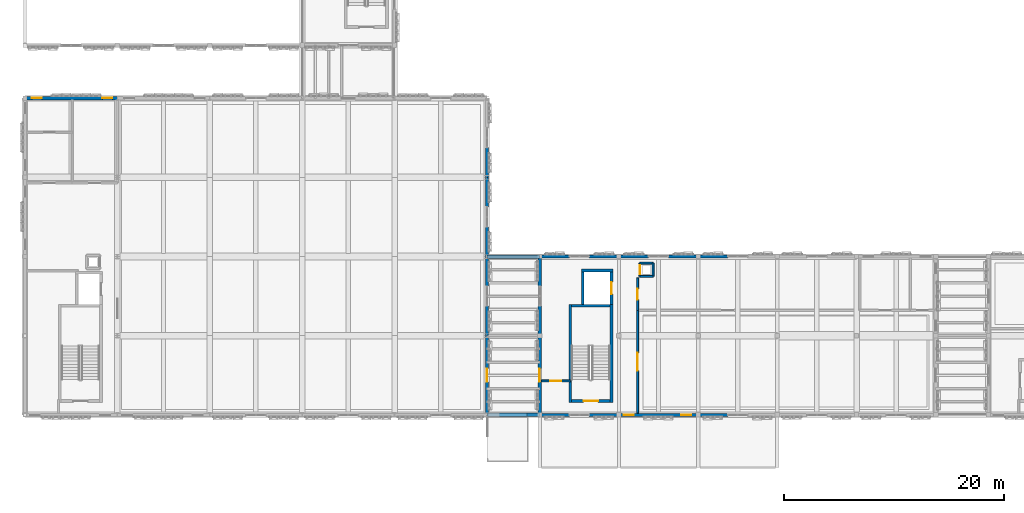
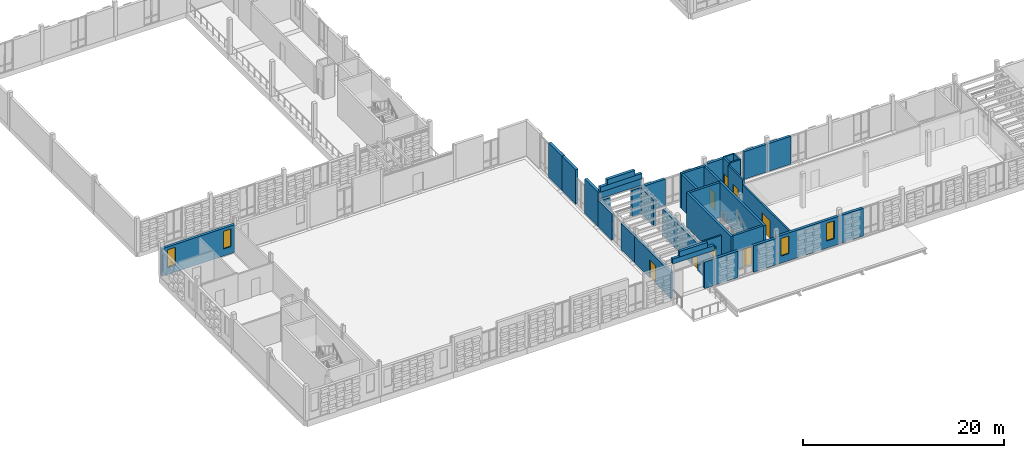
# One storey, part 65 of 99: 41 walls, 8 doors, 4 windows, 12 openings.
"""IFC4 building model written with IfcOpenShell, lengths in metres."""

from ifc_helpers import new_model, si_unit, direction, frame, frame_2d, origin, place, context, subcontext, project, spatial, rectangle, extrude, material, layer, layer_set, type_object, element, fill, save


model = new_model("IFC4")

# Units and contexts
model_context = context("Model", 3, precision=1e-05, world=origin(), true_north=direction((0.0, 1.0)))
body_context = subcontext(model_context, "Body", "Model", "MODEL_VIEW")
ifc_project = project(units=[si_unit("LENGTHUNIT", "METRE"), si_unit("AREAUNIT", "SQUARE_METRE"), si_unit("VOLUMEUNIT", "CUBIC_METRE"), si_unit("PLANEANGLEUNIT", "RADIAN"), si_unit("MASSUNIT", "GRAM", prefix="KILO")], contexts=[model_context])

# Site, building, storey
site_placement = place(None, origin())
site = spatial("IfcSite", under=ifc_project, at=site_placement, CompositionType="ELEMENT")
building_placement = place(site_placement, origin())
building = spatial("IfcBuilding", under=site, at=building_placement, Name="Kahlenmark Community Centre", CompositionType="ELEMENT")
storey_placement = place(building_placement, frame((0.0, 0.0, 5.39990234375)))
storey = spatial("IfcBuildingStorey", under=building, at=storey_placement, Name="L01", CompositionType="ELEMENT", Elevation=5.39990234375)

# Wall, opening, door
ifc_material_1 = material(Name="Concrete C35/45", Category="concrete")
ifc_layer_1 = layer(ifc_material_1, 0.25)
ifc_layer_set_1 = layer_set([ifc_layer_1], Name="Concrete C35/45")
wall_type_1 = type_object("IfcWallType", Name="WT-CORE-250", PredefinedType="SHEAR", material=ifc_layer_set_1)
wall_1_placement = place(storey_placement, frame((53.699951171875, 10.074951171875, 0.0), z_axis=(0.0, 0.0, 1.0), x_axis=(1.0, 0.0, 0.0)))
wall_1 = element("IfcWall", 1, at=wall_1_placement, inside=storey, type_object=wall_type_1, Name="Core K3 shear wall WL-CORE-K3-L01-0078", PredefinedType="SHEAR", context=body_context, shape_type="SweptSolid", body=[
    extrude(rectangle(XDim=3.5, YDim=0.25, at=frame_2d((1.75, 0.0))), origin(), (0.0, 0.0, 1.0), 4.2001953125),
])
opening_1_placement = place(wall_1_placement, frame((1.10009765625, 0.0, -0.010009765625)))
opening_1 = element("IfcOpeningElement", 2, at=opening_1_placement, cuts=wall_1, Name="Opening FD-K3-L01", PredefinedType="OPENING", context=body_context, shape_type="SweptSolid", body=[
    extrude(rectangle(XDim=1.300048828125, YDim=2.159912109375, at=frame_2d((0.64990234375, 1.080078125))), frame((0.0, 0.135009765625, 0.0), z_axis=(0.0, -1.0, 0.0), x_axis=(1.0, 0.0, 0.0)), (0.0, 0.0, 1.0), 0.27001953125),
])
ifc_material_2 = material(Name="Fire-rated steel-framed timber door FD60S", Category="steel")
door_type_1 = type_object("IfcDoorType", Name="DT-FD-K3-L01", OperationType="NOTDEFINED", PredefinedType="DOOR", material=ifc_material_2)
door_1_placement = place(opening_1_placement, frame((1.300048828125, 0.0, 0.010009765625), z_axis=(0.0, 0.0, 1.0), x_axis=(-1.0, 0.0, 0.0)))
door_1 = element("IfcDoor", 3, at=door_1_placement, inside=storey, type_object=door_type_1, Name="Core K3 stair fire door L01", OperationType="SINGLE_SWING_LEFT", OverallHeight=2.14990234375, OverallWidth=1.300048828125, PredefinedType="DOOR", context=body_context, shape_type="SweptSolid", body=[
    extrude(rectangle(XDim=1.300048828125, YDim=2.14990234375, at=frame_2d((0.64990234375, 1.074951171875))), frame((0.0, 0.02490234375, 0.0), z_axis=(0.0, -1.0, 0.0), x_axis=(1.0, 0.0, 0.0)), (0.0, 0.0, 1.0), 0.050048828125),
])
fill(opening_1, door_1)

# Walls
wall_2_placement = place(storey_placement, frame((53.574951171875, 9.949951171875, 0.0), z_axis=(0.0, 0.0, 1.0), x_axis=(0.0, 1.0, 0.0)))
element("IfcWall", 4, at=wall_2_placement, inside=storey, type_object=wall_type_1, Name="Core K3 shear wall WL-CORE-K3-L01-0079", PredefinedType="SHEAR", context=body_context, shape_type="SweptSolid", body=[
    extrude(rectangle(XDim=8.900146484375, YDim=0.25, at=frame_2d((4.4501953125, 0.0))), origin(), (0.0, 0.0, 1.0), 4.2001953125),
])
wall_3_placement = place(storey_placement, frame((57.199951171875, 18.72509765625, 0.0), z_axis=(0.0, 0.0, 1.0), x_axis=(-1.0, 0.0, 0.0)))
element("IfcWall", 5, at=wall_3_placement, inside=storey, type_object=wall_type_1, Name="Core K3 shear wall WL-CORE-K3-L01-0080", PredefinedType="SHEAR", context=body_context, shape_type="SweptSolid", body=[
    extrude(rectangle(XDim=3.5, YDim=0.25, at=frame_2d((1.75, 0.0))), origin(), (0.0, 0.0, 1.0), 4.2001953125),
])
wall_4_placement = place(storey_placement, frame((57.324951171875, 9.949951171875, 0.0), z_axis=(0.0, 0.0, 1.0), x_axis=(0.0, 1.0, 0.0)))
element("IfcWall", 6, at=wall_4_placement, inside=storey, type_object=wall_type_1, Name="Core K3 shear wall WL-CORE-K3-L01-0081", PredefinedType="SHEAR", context=body_context, shape_type="SweptSolid", body=[
    extrude(rectangle(XDim=8.900146484375, YDim=0.25, at=frame_2d((4.4501953125, 0.0))), origin(), (0.0, 0.0, 1.0), 4.2001953125),
])
wall_5_placement = place(storey_placement, frame((54.590087890625, 21.93505859375, 0.0), z_axis=(0.0, 0.0, 1.0), x_axis=(1.0, 0.0, 0.0)))
element("IfcWall", 7, at=wall_5_placement, inside=storey, type_object=wall_type_1, Name="Core K3 shear wall WL-CORE-K3-L01-0082", PredefinedType="SHEAR", context=body_context, shape_type="SweptSolid", body=[
    extrude(rectangle(XDim=2.85986328125, YDim=0.25, at=frame_2d((1.429931640625, 0.0))), origin(), (0.0, 0.0, 1.0), 4.2001953125),
])

# Wall, opening, door
wall_6_placement = place(storey_placement, frame((57.324951171875, 18.85009765625, 0.0), z_axis=(0.0, 0.0, 1.0), x_axis=(0.0, 1.0, 0.0)))
wall_6 = element("IfcWall", 8, at=wall_6_placement, inside=storey, type_object=wall_type_1, Name="Core K3 shear wall WL-CORE-K3-L01-0083", PredefinedType="SHEAR", context=body_context, shape_type="SweptSolid", body=[
    extrude(rectangle(XDim=2.9599609375, YDim=0.25, at=frame_2d((1.47998046875, 0.0))), origin(), (0.0, 0.0, 1.0), 4.2001953125),
])
opening_2_placement = place(wall_6_placement, frame((0.929931640625, 0.0, -0.010009765625)))
opening_2 = element("IfcOpeningElement", 9, at=opening_2_placement, cuts=wall_6, Name="Opening LD-3", PredefinedType="OPENING", context=body_context, shape_type="SweptSolid", body=[
    extrude(rectangle(XDim=1.10009765625, YDim=2.159912109375, at=frame_2d((0.550048828125, 1.080078125))), frame((0.0, 0.135009765625, 0.0), z_axis=(0.0, -1.0, 0.0), x_axis=(1.0, 0.0, 0.0)), (0.0, 0.0, 1.0), 0.27001953125),
])
ifc_material_3 = material(Name="Brushed stainless steel sliding lift landing door", Category="steel")
door_type_2 = type_object("IfcDoorType", Name="DT-LD-K3", OperationType="SLIDING_TO_LEFT", PredefinedType="DOOR", material=ifc_material_3)
door_2_placement = place(opening_2_placement, frame((0.0, 0.0, 0.010009765625)))
door_2 = element("IfcDoor", 10, at=door_2_placement, inside=storey, type_object=door_type_2, Name="Lift LF-03 sliding landing door L01", OperationType="SLIDING_TO_LEFT", OverallHeight=2.14990234375, OverallWidth=1.10009765625, PredefinedType="DOOR", context=body_context, shape_type="SweptSolid", body=[
    extrude(rectangle(XDim=1.10009765625, YDim=2.14990234375, at=frame_2d((0.550048828125, 1.074951171875))), frame((0.0, 0.02490234375, 0.0), z_axis=(0.0, -1.0, 0.0), x_axis=(1.0, 0.0, 0.0)), (0.0, 0.0, 1.0), 0.050048828125),
])
fill(opening_2, door_2)

# Wall
wall_7_placement = place(storey_placement, frame((54.715087890625, 18.85009765625, 0.0), z_axis=(0.0, 0.0, 1.0), x_axis=(0.0, 1.0, 0.0)))
element("IfcWall", 11, at=wall_7_placement, inside=storey, type_object=wall_type_1, Name="Core K3 shear wall WL-CORE-K3-L01-0084", PredefinedType="SHEAR", context=body_context, shape_type="SweptSolid", body=[
    extrude(rectangle(XDim=3.2099609375, YDim=0.25, at=frame_2d((1.60498046875, 0.0))), origin(), (0.0, 0.0, 1.0), 4.2001953125),
])

# Wall, openings, windows
ifc_material_4 = material(Name="Cross-laminated timber CLT C24", Category="wood")
ifc_layer_2 = layer(ifc_material_4, 0.300048828125)
ifc_layer_set_2 = layer_set([ifc_layer_2], Name="Cross-laminated timber CLT C24")
wall_type_2 = type_object("IfcWallType", Name="WT-EW-300", PredefinedType="SOLIDWALL", material=ifc_layer_set_2)
wall_8_placement = place(storey_placement, frame((12.39990234375, 37.60009765625, 0.0), z_axis=(0.0, 0.0, 1.0), x_axis=(-1.0, 0.0, 0.0)))
wall_8 = element("IfcWall", 12, at=wall_8_placement, inside=storey, type_object=wall_type_2, Name="Exterior wall WL-EXT-L01-0253", PredefinedType="SOLIDWALL", context=body_context, shape_type="SweptSolid", body=[
    extrude(rectangle(XDim=8.39990234375, YDim=0.300048828125, at=frame_2d((4.199951171875, 0.0))), origin(), (0.0, 0.0, 1.0), 3.35009765625),
])
opening_3_placement = place(wall_8_placement, frame((0.4599609375, 0.0, 0.85009765625)))
opening_3 = element("IfcOpeningElement", 13, at=opening_3_placement, cuts=wall_8, Name="Opening W-090X215", PredefinedType="OPENING", context=body_context, shape_type="SweptSolid", body=[
    extrude(rectangle(XDim=0.89990234375, YDim=2.14990234375, at=frame_2d((0.449951171875, 1.074951171875))), frame((0.0, 0.159912109375, 0.0), z_axis=(0.0, -1.0, 0.0), x_axis=(1.0, 0.0, 0.0)), (0.0, 0.0, 1.0), 0.320068359375),
])
opening_4_placement = place(wall_8_placement, frame((6.860107421875, 0.0, 0.85009765625)))
opening_4 = element("IfcOpeningElement", 14, at=opening_4_placement, cuts=wall_8, Name="Opening W-090X215", PredefinedType="OPENING", context=body_context, shape_type="SweptSolid", body=[
    extrude(rectangle(XDim=0.89990234375, YDim=2.14990234375, at=frame_2d((0.449951171875, 1.074951171875))), frame((0.0, 0.159912109375, 0.0), z_axis=(0.0, -1.0, 0.0), x_axis=(1.0, 0.0, 0.0)), (0.0, 0.0, 1.0), 0.320068359375),
])
ifc_material_5 = material(Name="Recessed basketweave aperture triple glazing", Category="glass")
window_type = type_object("IfcWindowType", Name="WNT-090X215", PartitioningType="SINGLE_PANEL", PredefinedType="WINDOW", material=ifc_material_5)
window_1_placement = place(opening_3_placement, origin())
window_1 = element("IfcWindow", 15, at=window_1_placement, inside=storey, type_object=window_type, Name="Window W-090X215 #0169", OverallHeight=2.14990234375, OverallWidth=0.89990234375, PartitioningType="SINGLE_PANEL", PredefinedType="WINDOW", context=body_context, shape_type="SweptSolid", body=[
    extrude(rectangle(XDim=0.89990234375, YDim=2.14990234375, at=frame_2d((0.449951171875, 1.074951171875))), frame((0.0, 0.030029296875, 0.0), z_axis=(0.0, -1.0, 0.0), x_axis=(1.0, 0.0, 0.0)), (0.0, 0.0, 1.0), 0.06005859375),
])
fill(opening_3, window_1)
window_2_placement = place(opening_4_placement, origin())
window_2 = element("IfcWindow", 16, at=window_2_placement, inside=storey, type_object=window_type, Name="Window W-090X215 #0170", OverallHeight=2.14990234375, OverallWidth=0.89990234375, PartitioningType="SINGLE_PANEL", PredefinedType="WINDOW", context=body_context, shape_type="SweptSolid", body=[
    extrude(rectangle(XDim=0.89990234375, YDim=2.14990234375, at=frame_2d((0.449951171875, 1.074951171875))), frame((0.0, 0.030029296875, 0.0), z_axis=(0.0, -1.0, 0.0), x_axis=(1.0, 0.0, 0.0)), (0.0, 0.0, 1.0), 0.06005859375),
])
fill(opening_4, window_2)

# Wall, opening, door
wall_9_placement = place(storey_placement, frame((46.0, 8.800048828125, 0.0), z_axis=(0.0, 0.0, 1.0), x_axis=(0.0, 1.0, 0.0)))
wall_9 = element("IfcWall", 17, at=wall_9_placement, inside=storey, type_object=wall_type_2, Name="Exterior wall WL-EXT-L01-0264", PredefinedType="SOLIDWALL", context=body_context, shape_type="SweptSolid", body=[
    extrude(rectangle(XDim=7.199951171875, YDim=0.300048828125, at=frame_2d((3.60009765625, 0.0))), origin(), (0.0, 0.0, 1.0), 3.210205078125),
])
opening_5_placement = place(wall_9_placement, frame((3.0, 0.0, -0.010009765625)))
opening_5 = element("IfcOpeningElement", 18, at=opening_5_placement, cuts=wall_9, Name="Opening D-TER01", PredefinedType="OPENING", context=body_context, shape_type="SweptSolid", body=[
    extrude(rectangle(XDim=1.199951171875, YDim=2.2099609375, at=frame_2d((0.60009765625, 1.10498046875))), frame((0.0, 0.159912109375, 0.0), z_axis=(0.0, -1.0, 0.0), x_axis=(1.0, 0.0, 0.0)), (0.0, 0.0, 1.0), 0.320068359375),
])
ifc_material_6 = material(Name="Thermally broken glazed aluminium terrace door", Category="aluminium")
door_type_3 = type_object("IfcDoorType", Name="DT-EXT-120X220", OperationType="NOTDEFINED", PredefinedType="DOOR", material=ifc_material_6)
door_3_placement = place(opening_5_placement, frame((0.0, 0.0, 0.010009765625)))
door_3 = element("IfcDoor", 19, at=door_3_placement, inside=storey, type_object=door_type_3, Name="Exterior door D-TER01", OperationType="SINGLE_SWING_RIGHT", OverallHeight=2.199951171875, OverallWidth=1.199951171875, PredefinedType="DOOR", context=body_context, shape_type="SweptSolid", body=[
    extrude(rectangle(XDim=1.199951171875, YDim=2.199951171875, at=frame_2d((0.60009765625, 1.10009765625))), frame((0.0, 0.02490234375, 0.0), z_axis=(0.0, -1.0, 0.0), x_axis=(1.0, 0.0, 0.0)), (0.0, 0.0, 1.0), 0.050048828125),
])
fill(opening_5, door_3)

# Walls
for number, where, z_axis, x_axis, name in (
    (20, (46.0, 16.0, 0.0), (0.0, 0.0, 1.0), (0.0, 1.0, 0.0), "Basketweave backup wall WL-EXT-L01-0265"),
    (21, (46.0, 20.5, 0.0), (0.0, 0.0, 1.0), (0.0, 1.0, 0.0), "Basketweave backup wall WL-EXT-L01-0266"),
):
    element("IfcWall", number, at=place(storey_placement, frame(where, z_axis=z_axis, x_axis=x_axis)), inside=storey, type_object=wall_type_2, Name=name, PredefinedType="SOLIDWALL", context=body_context, shape_type="SweptSolid", body=[
        extrude(rectangle(XDim=2.699951171875, YDim=0.300048828125, at=frame_2d((1.35009765625, 0.0))), origin(), (0.0, 0.0, 1.0), 3.210205078125),
    ])
for number, where, z_axis, x_axis, name in (
    (22, (46.0, 23.199951171875, 0.0), (0.0, 0.0, 1.0), (0.0, 1.0, 0.0), "Basketweave backup wall WL-EXT-L01-0267"),
    (23, (46.0, 27.699951171875, 0.0), (0.0, 0.0, 1.0), (0.0, 1.0, 0.0), "Basketweave backup wall WL-EXT-L01-0268"),
):
    element("IfcWall", number, at=place(storey_placement, frame(where, z_axis=z_axis, x_axis=x_axis)), inside=storey, type_object=wall_type_2, Name=name, PredefinedType="SOLIDWALL", context=body_context, shape_type="SweptSolid", body=[
        extrude(rectangle(XDim=2.699951171875, YDim=0.300048828125, at=frame_2d((1.35009765625, 0.0))), origin(), (0.0, 0.0, 1.0), 4.2001953125),
    ])
wall_10_placement = place(storey_placement, frame((46.0, 30.39990234375, 0.0), z_axis=(0.0, 0.0, 1.0), x_axis=(0.0, 1.0, 0.0)))
element("IfcWall", 24, at=wall_10_placement, inside=storey, type_object=wall_type_2, Name="Basketweave backup wall WL-EXT-L01-0269", PredefinedType="SOLIDWALL", context=body_context, shape_type="SweptSolid", body=[
    extrude(rectangle(XDim=2.7001953125, YDim=0.300048828125, at=frame_2d((1.35009765625, 0.0))), origin(), (0.0, 0.0, 1.0), 4.2001953125),
])
for number, where, z_axis, x_axis, name in (
    (25, (50.800048828125, 8.800048828125, 0.0), (0.0, 0.0, 1.0), (1.0, 0.0, 0.0), "Basketweave backup wall WL-EXT-L01-0297"),
    (26, (55.300048828125, 8.800048828125, 0.0), (0.0, 0.0, 1.0), (1.0, 0.0, 0.0), "Basketweave backup wall WL-EXT-L01-0298"),
):
    element("IfcWall", number, at=place(storey_placement, frame(where, z_axis=z_axis, x_axis=x_axis)), inside=storey, type_object=wall_type_2, Name=name, PredefinedType="SOLIDWALL", context=body_context, shape_type="SweptSolid", body=[
        extrude(rectangle(XDim=2.699951171875, YDim=0.300048828125, at=frame_2d((1.35009765625, 0.0))), origin(), (0.0, 0.0, 1.0), 3.210205078125),
    ])

# Wall, openings, windows
wall_11_placement = place(storey_placement, frame((58.0, 8.800048828125, 0.0), z_axis=(0.0, 0.0, 1.0), x_axis=(1.0, 0.0, 0.0)))
wall_11 = element("IfcWall", 27, at=wall_11_placement, inside=storey, type_object=wall_type_2, Name="Exterior wall WL-EXT-L01-0299", PredefinedType="SOLIDWALL", context=body_context, shape_type="SweptSolid", body=[
    extrude(rectangle(XDim=7.199951171875, YDim=0.300048828125, at=frame_2d((3.60009765625, 0.0))), origin(), (0.0, 0.0, 1.0), 3.3701171875),
])
opening_6_placement = place(wall_11_placement, frame((0.4599609375, 0.0, 0.85009765625)))
opening_6 = element("IfcOpeningElement", 28, at=opening_6_placement, cuts=wall_11, Name="Opening W-090X215", PredefinedType="OPENING", context=body_context, shape_type="SweptSolid", body=[
    extrude(rectangle(XDim=0.89990234375, YDim=2.14990234375, at=frame_2d((0.449951171875, 1.074951171875))), frame((0.0, 0.159912109375, 0.0), z_axis=(0.0, -1.0, 0.0), x_axis=(1.0, 0.0, 0.0)), (0.0, 0.0, 1.0), 0.320068359375),
])
opening_7_placement = place(wall_11_placement, frame((5.659912109375, 0.0, 0.85009765625)))
opening_7 = element("IfcOpeningElement", 29, at=opening_7_placement, cuts=wall_11, Name="Opening W-090X215", PredefinedType="OPENING", context=body_context, shape_type="SweptSolid", body=[
    extrude(rectangle(XDim=0.89990234375, YDim=2.14990234375, at=frame_2d((0.449951171875, 1.074951171875))), frame((0.0, 0.159912109375, 0.0), z_axis=(0.0, -1.0, 0.0), x_axis=(1.0, 0.0, 0.0)), (0.0, 0.0, 1.0), 0.320068359375),
])
window_3_placement = place(opening_6_placement, origin())
window_3 = element("IfcWindow", 30, at=window_3_placement, inside=storey, type_object=window_type, Name="Window W-090X215 #0179", OverallHeight=2.14990234375, OverallWidth=0.89990234375, PartitioningType="SINGLE_PANEL", PredefinedType="WINDOW", context=body_context, shape_type="SweptSolid", body=[
    extrude(rectangle(XDim=0.89990234375, YDim=2.14990234375, at=frame_2d((0.449951171875, 1.074951171875))), frame((0.0, 0.030029296875, 0.0), z_axis=(0.0, -1.0, 0.0), x_axis=(1.0, 0.0, 0.0)), (0.0, 0.0, 1.0), 0.06005859375),
])
fill(opening_6, window_3)
window_4_placement = place(opening_7_placement, origin())
window_4 = element("IfcWindow", 31, at=window_4_placement, inside=storey, type_object=window_type, Name="Window W-090X215 #0180", OverallHeight=2.14990234375, OverallWidth=0.89990234375, PartitioningType="SINGLE_PANEL", PredefinedType="WINDOW", context=body_context, shape_type="SweptSolid", body=[
    extrude(rectangle(XDim=0.89990234375, YDim=2.14990234375, at=frame_2d((0.449951171875, 1.074951171875))), frame((0.0, 0.030029296875, 0.0), z_axis=(0.0, -1.0, 0.0), x_axis=(1.0, 0.0, 0.0)), (0.0, 0.0, 1.0), 0.06005859375),
])
fill(opening_7, window_4)

# Walls
wall_12_placement = place(storey_placement, frame((65.199951171875, 8.800048828125, 0.0), z_axis=(0.0, 0.0, 1.0), x_axis=(1.0, 0.0, 0.0)))
element("IfcWall", 32, at=wall_12_placement, inside=storey, type_object=wall_type_2, Name="Basketweave backup wall WL-EXT-L01-0300", PredefinedType="SOLIDWALL", context=body_context, shape_type="SweptSolid", body=[
    extrude(rectangle(XDim=2.699951171875, YDim=0.300048828125, at=frame_2d((1.35009765625, 0.0))), origin(), (0.0, 0.0, 1.0), 3.3701171875),
])
for number, where, z_axis, x_axis, name in (
    (33, (58.0, 23.199951171875, 0.0), (0.0, 0.0, 1.0), (-1.0, 0.0, 0.0), "Basketweave backup wall WL-EXT-L01-0306"),
    (34, (53.5, 23.199951171875, 0.0), (0.0, 0.0, 1.0), (-1.0, 0.0, 0.0), "Basketweave backup wall WL-EXT-L01-0307"),
):
    element("IfcWall", number, at=place(storey_placement, frame(where, z_axis=z_axis, x_axis=x_axis)), inside=storey, type_object=wall_type_2, Name=name, PredefinedType="SOLIDWALL", context=body_context, shape_type="SweptSolid", body=[
        extrude(rectangle(XDim=2.699951171875, YDim=0.300048828125, at=frame_2d((1.35009765625, 0.0))), origin(), (0.0, 0.0, 1.0), 3.210205078125),
    ])
for number, where, z_axis, x_axis, name in (
    (35, (65.199951171875, 23.199951171875, 0.0), (0.0, 0.0, 1.0), (-1.0, 0.0, 0.0), "Basketweave backup wall WL-EXT-L01-0308"),
    (36, (60.699951171875, 23.199951171875, 0.0), (0.0, 0.0, 1.0), (-1.0, 0.0, 0.0), "Basketweave backup wall WL-EXT-L01-0309"),
    (37, (67.89990234375, 23.199951171875, 0.0), (0.0, 0.0, 1.0), (-1.0, 0.0, 0.0), "Basketweave backup wall WL-EXT-L01-0311"),
):
    element("IfcWall", number, at=place(storey_placement, frame(where, z_axis=z_axis, x_axis=x_axis)), inside=storey, type_object=wall_type_2, Name=name, PredefinedType="SOLIDWALL", context=body_context, shape_type="SweptSolid", body=[
        extrude(rectangle(XDim=2.699951171875, YDim=0.300048828125, at=frame_2d((1.35009765625, 0.0))), origin(), (0.0, 0.0, 1.0), 3.3701171875),
    ])

# Wall, opening, door
wall_13_placement = place(storey_placement, frame((50.800048828125, 16.0, 0.0), z_axis=(0.0, 0.0, 1.0), x_axis=(0.0, -1.0, 0.0)))
wall_13 = element("IfcWall", 38, at=wall_13_placement, inside=storey, type_object=wall_type_2, Name="Exterior wall WL-EXT-L01-0315", PredefinedType="SOLIDWALL", context=body_context, shape_type="SweptSolid", body=[
    extrude(rectangle(XDim=7.199951171875, YDim=0.300048828125, at=frame_2d((3.60009765625, 0.0))), origin(), (0.0, 0.0, 1.0), 3.210205078125),
])
opening_8_placement = place(wall_13_placement, frame((3.0, 0.0, -0.010009765625)))
opening_8 = element("IfcOpeningElement", 39, at=opening_8_placement, cuts=wall_13, Name="Opening D-TER02", PredefinedType="OPENING", context=body_context, shape_type="SweptSolid", body=[
    extrude(rectangle(XDim=1.199951171875, YDim=2.2099609375, at=frame_2d((0.60009765625, 1.10498046875))), frame((0.0, 0.159912109375, 0.0), z_axis=(0.0, -1.0, 0.0), x_axis=(1.0, 0.0, 0.0)), (0.0, 0.0, 1.0), 0.320068359375),
])
door_4_placement = place(opening_8_placement, frame((0.0, 0.0, 0.010009765625)))
door_4 = element("IfcDoor", 40, at=door_4_placement, inside=storey, type_object=door_type_3, Name="Exterior door D-TER02", OperationType="SINGLE_SWING_RIGHT", OverallHeight=2.199951171875, OverallWidth=1.199951171875, PredefinedType="DOOR", context=body_context, shape_type="SweptSolid", body=[
    extrude(rectangle(XDim=1.199951171875, YDim=2.199951171875, at=frame_2d((0.60009765625, 1.10009765625))), frame((0.0, 0.02490234375, 0.0), z_axis=(0.0, -1.0, 0.0), x_axis=(1.0, 0.0, 0.0)), (0.0, 0.0, 1.0), 0.050048828125),
])
fill(opening_8, door_4)

# Walls
for number, where, z_axis, x_axis, name in (
    (41, (50.800048828125, 23.199951171875, 0.0), (0.0, 0.0, 1.0), (0.0, -1.0, 0.0), "Basketweave backup wall WL-EXT-L01-0316"),
    (42, (50.800048828125, 18.699951171875, 0.0), (0.0, 0.0, 1.0), (0.0, -1.0, 0.0), "Basketweave backup wall WL-EXT-L01-0317"),
):
    element("IfcWall", number, at=place(storey_placement, frame(where, z_axis=z_axis, x_axis=x_axis)), inside=storey, type_object=wall_type_2, Name=name, PredefinedType="SOLIDWALL", context=body_context, shape_type="SweptSolid", body=[
        extrude(rectangle(XDim=2.699951171875, YDim=0.300048828125, at=frame_2d((1.35009765625, 0.0))), origin(), (0.0, 0.0, 1.0), 3.210205078125),
    ])
ifc_material_7 = material(Name="Danube limestone masonry", Category="masonry")
ifc_layer_3 = layer(ifc_material_7, 0.320068359375)
ifc_layer_set_3 = layer_set([ifc_layer_3], Name="Danube limestone masonry")
wall_type_3 = type_object("IfcWallType", Name="WT-PAR-PED320", PredefinedType="PARAPET", material=ifc_layer_set_3)
wall_14_placement = place(storey_placement, frame((49.64990234375, 8.800048828125, 0.0), z_axis=(0.0, 0.0, 1.0), x_axis=(1.0, 0.0, 0.0)))
element("IfcWall", 43, at=wall_14_placement, inside=storey, type_object=wall_type_3, Name="Postmodern passage stepped-pediment portal 1015", PredefinedType="PARAPET", context=body_context, shape_type="SweptSolid", body=[
    extrude(rectangle(XDim=1.150146484375, YDim=0.320068359375, at=frame_2d((0.5751953125, 0.0))), origin(), (0.0, 0.0, 1.0), 3.210205078125),
])
wall_15_placement = place(storey_placement, frame((46.0, 8.800048828125, 4.25), z_axis=(0.0, 0.0, 1.0), x_axis=(1.0, 0.0, 0.0)))
element("IfcWall", 44, at=wall_15_placement, inside=storey, type_object=wall_type_3, Name="Postmodern passage stepped-pediment portal 1017", PredefinedType="PARAPET", context=body_context, shape_type="SweptSolid", body=[
    extrude(rectangle(XDim=4.800048828125, YDim=0.320068359375, at=frame_2d((2.39990234375, 0.0))), origin(), (0.0, 0.0, 1.0), 0.60009765625),
])
wall_16_placement = place(storey_placement, frame((46.800048828125, 8.800048828125, 4.85009765625), z_axis=(0.0, 0.0, 1.0), x_axis=(1.0, 0.0, 0.0)))
element("IfcWall", 45, at=wall_16_placement, inside=storey, type_object=wall_type_3, Name="Postmodern passage stepped-pediment portal 1018", PredefinedType="PARAPET", context=body_context, shape_type="SweptSolid", body=[
    extrude(rectangle(XDim=3.199951171875, YDim=0.320068359375, at=frame_2d((1.60009765625, 0.0))), origin(), (0.0, 0.0, 1.0), 0.64990234375),
])
wall_17_placement = place(storey_placement, frame((46.0, 23.199951171875, 0.0), z_axis=(0.0, 0.0, 1.0), x_axis=(1.0, 0.0, 0.0)))
element("IfcWall", 46, at=wall_17_placement, inside=storey, type_object=wall_type_3, Name="Postmodern passage stepped-pediment portal 1019", PredefinedType="PARAPET", context=body_context, shape_type="SweptSolid", body=[
    extrude(rectangle(XDim=1.14990234375, YDim=0.320068359375, at=frame_2d((0.574951171875, 0.0))), origin(), (0.0, 0.0, 1.0), 3.210205078125),
])
wall_18_placement = place(storey_placement, frame((49.64990234375, 23.199951171875, 0.0), z_axis=(0.0, 0.0, 1.0), x_axis=(1.0, 0.0, 0.0)))
element("IfcWall", 47, at=wall_18_placement, inside=storey, type_object=wall_type_3, Name="Postmodern passage stepped-pediment portal 1020", PredefinedType="PARAPET", context=body_context, shape_type="SweptSolid", body=[
    extrude(rectangle(XDim=1.150146484375, YDim=0.320068359375, at=frame_2d((0.5751953125, 0.0))), origin(), (0.0, 0.0, 1.0), 3.210205078125),
])
wall_19_placement = place(storey_placement, frame((46.0, 23.199951171875, 3.4501953125), z_axis=(0.0, 0.0, 1.0), x_axis=(1.0, 0.0, 0.0)))
element("IfcWall", 48, at=wall_19_placement, inside=storey, type_object=wall_type_3, Name="Postmodern passage stepped-pediment portal 1021", PredefinedType="PARAPET", context=body_context, shape_type="SweptSolid", body=[
    extrude(rectangle(XDim=4.800048828125, YDim=0.320068359375, at=frame_2d((2.39990234375, 0.0))), origin(), (0.0, 0.0, 1.0), 0.7998046875),
])
wall_20_placement = place(storey_placement, frame((46.0, 23.199951171875, 4.25), z_axis=(0.0, 0.0, 1.0), x_axis=(1.0, 0.0, 0.0)))
element("IfcWall", 49, at=wall_20_placement, inside=storey, type_object=wall_type_3, Name="Postmodern passage stepped-pediment portal 1022", PredefinedType="PARAPET", context=body_context, shape_type="SweptSolid", body=[
    extrude(rectangle(XDim=4.800048828125, YDim=0.320068359375, at=frame_2d((2.39990234375, 0.0))), origin(), (0.0, 0.0, 1.0), 0.60009765625),
])
wall_21_placement = place(storey_placement, frame((46.800048828125, 23.199951171875, 4.85009765625), z_axis=(0.0, 0.0, 1.0), x_axis=(1.0, 0.0, 0.0)))
element("IfcWall", 50, at=wall_21_placement, inside=storey, type_object=wall_type_3, Name="Postmodern passage stepped-pediment portal 1023", PredefinedType="PARAPET", context=body_context, shape_type="SweptSolid", body=[
    extrude(rectangle(XDim=3.199951171875, YDim=0.320068359375, at=frame_2d((1.60009765625, 0.0))), origin(), (0.0, 0.0, 1.0), 0.64990234375),
])

# Wall, opening, door
ifc_material_8 = material(Name="Gypsum plasterboard partition", Category="gypsum")
ifc_layer_4 = layer(ifc_material_8, 0.179931640625)
ifc_layer_set_4 = layer_set([ifc_layer_4], Name="Gypsum plasterboard partition")
wall_type_4 = type_object("IfcWallType", Name="WT-PW-180", PredefinedType="PARTITIONING", material=ifc_layer_set_4)
wall_22_placement = place(storey_placement, frame((50.93994140625, 11.89990234375, 0.0), z_axis=(0.0, 0.0, 1.0), x_axis=(1.0, 0.0, 0.0)))
wall_22 = element("IfcWall", 51, at=wall_22_placement, inside=storey, type_object=wall_type_4, Name="Interior partition WL-INT-L01-0105", PredefinedType="PARTITIONING", context=body_context, shape_type="SweptSolid", body=[
    extrude(rectangle(XDim=2.66015625, YDim=0.179931640625, at=frame_2d((1.330078125, 0.0))), origin(), (0.0, 0.0, 1.0), 3.210205078125),
])
opening_9_placement = place(wall_22_placement, frame((0.830078125, 0.0, -0.010009765625)))
opening_9 = element("IfcOpeningElement", 52, at=opening_9_placement, cuts=wall_22, Name="Opening D-L01-063", PredefinedType="OPENING", context=body_context, shape_type="SweptSolid", body=[
    extrude(rectangle(XDim=1.0, YDim=2.159912109375, at=frame_2d((0.5, 1.080078125))), frame((0.0, 0.099853515625, 0.0), z_axis=(0.0, -1.0, 0.0), x_axis=(1.0, 0.0, 0.0)), (0.0, 0.0, 1.0), 0.199951171875),
])
ifc_material_9 = material(Name="Oak timber veneer door leaf", Category="wood")
door_type_4 = type_object("IfcDoorType", Name="DT-INT-100X215", OperationType="NOTDEFINED", PredefinedType="DOOR", material=ifc_material_9)
door_5_placement = place(opening_9_placement, frame((1.0, 0.0, 0.010009765625), z_axis=(0.0, 0.0, 1.0), x_axis=(-1.0, 0.0, 0.0)))
door_5 = element("IfcDoor", 53, at=door_5_placement, inside=storey, type_object=door_type_4, Name="Interior door D-L01-063", OperationType="SINGLE_SWING_RIGHT", OverallHeight=2.14990234375, OverallWidth=1.0, PredefinedType="DOOR", context=body_context, shape_type="SweptSolid", body=[
    extrude(rectangle(XDim=1.0, YDim=2.14990234375, at=frame_2d((0.5, 1.074951171875))), frame((0.0, 0.02490234375, 0.0), z_axis=(0.0, -1.0, 0.0), x_axis=(1.0, 0.0, 0.0)), (0.0, 0.0, 1.0), 0.050048828125),
])
fill(opening_9, door_5)

wall_23_placement = place(storey_placement, frame((59.699951171875, 8.9599609375, 0.0), z_axis=(0.0, 0.0, 1.0), x_axis=(0.0, 1.0, 0.0)))
wall_23 = element("IfcWall", 54, at=wall_23_placement, inside=storey, type_object=wall_type_4, Name="Interior partition WL-INT-L01-0106", PredefinedType="PARTITIONING", context=body_context, shape_type="SweptSolid", body=[
    extrude(rectangle(XDim=9.340087890625, YDim=0.179931640625, at=frame_2d((4.669921875, 0.0))), origin(), (0.0, 0.0, 1.0), 3.25),
])
opening_10_placement = place(wall_23_placement, frame((3.8701171875, 0.0, -0.010009765625)))
opening_10 = element("IfcOpeningElement", 55, at=opening_10_placement, cuts=wall_23, Name="Opening D-L01-064", PredefinedType="OPENING", context=body_context, shape_type="SweptSolid", body=[
    extrude(rectangle(XDim=1.60009765625, YDim=2.2099609375, at=frame_2d((0.800048828125, 1.10498046875))), frame((0.0, 0.099853515625, 0.0), z_axis=(0.0, -1.0, 0.0), x_axis=(1.0, 0.0, 0.0)), (0.0, 0.0, 1.0), 0.199951171875),
])
ifc_material_10 = material(Name="Oak double-leaf acoustic door")
door_type_5 = type_object("IfcDoorType", Name="DT-DBL-160X220", OperationType="NOTDEFINED", PredefinedType="DOOR", material=ifc_material_10)
door_6_placement = place(opening_10_placement, frame((0.0, 0.0, 0.010009765625)))
door_6 = element("IfcDoor", 56, at=door_6_placement, inside=storey, type_object=door_type_5, Name="Interior door D-L01-064", OperationType="DOUBLE_SWING_LEFT", OverallHeight=2.199951171875, OverallWidth=1.60009765625, PredefinedType="DOOR", context=body_context, shape_type="SweptSolid", body=[
    extrude(rectangle(XDim=1.60009765625, YDim=2.199951171875, at=frame_2d((0.800048828125, 1.10009765625))), frame((0.0, 0.02490234375, 0.0), z_axis=(0.0, -1.0, 0.0), x_axis=(1.0, 0.0, 0.0)), (0.0, 0.0, 1.0), 0.050048828125),
])
fill(opening_10, door_6)

wall_24_placement = place(storey_placement, frame((59.699951171875, 18.300048828125, 0.0), z_axis=(0.0, 0.0, 1.0), x_axis=(0.0, 1.0, 0.0)))
wall_24 = element("IfcWall", 57, at=wall_24_placement, inside=storey, type_object=wall_type_4, Name="Interior partition WL-INT-L01-0107", PredefinedType="PARTITIONING", context=body_context, shape_type="SweptSolid", body=[
    extrude(rectangle(XDim=2.949951171875, YDim=0.179931640625, at=frame_2d((1.47509765625, 0.0))), origin(), (0.0, 0.0, 1.0), 3.840087890625),
])
opening_11_placement = place(wall_24_placement, frame((0.97509765625, 0.0, -0.010009765625)))
opening_11 = element("IfcOpeningElement", 58, at=opening_11_placement, cuts=wall_24, Name="Opening D-L01-065", PredefinedType="OPENING", context=body_context, shape_type="SweptSolid", body=[
    extrude(rectangle(XDim=1.0, YDim=2.159912109375, at=frame_2d((0.5, 1.080078125))), frame((0.0, 0.099853515625, 0.0), z_axis=(0.0, -1.0, 0.0), x_axis=(1.0, 0.0, 0.0)), (0.0, 0.0, 1.0), 0.199951171875),
])
door_7_placement = place(opening_11_placement, frame((0.0, 0.0, 0.010009765625)))
door_7 = element("IfcDoor", 59, at=door_7_placement, inside=storey, type_object=door_type_4, Name="Interior door D-L01-065", OperationType="SINGLE_SWING_RIGHT", OverallHeight=2.14990234375, OverallWidth=1.0, PredefinedType="DOOR", context=body_context, shape_type="SweptSolid", body=[
    extrude(rectangle(XDim=1.0, YDim=2.14990234375, at=frame_2d((0.5, 1.074951171875))), frame((0.0, 0.02490234375, 0.0), z_axis=(0.0, -1.0, 0.0), x_axis=(1.0, 0.0, 0.0)), (0.0, 0.0, 1.0), 0.050048828125),
])
fill(opening_11, door_7)

# Walls
ifc_material_11 = material(Name="Masonry blockwork", Category="masonry")
ifc_layer_5 = layer(ifc_material_11, 0.179931640625)
ifc_layer_set_5 = layer_set([ifc_layer_5], Name="Masonry blockwork")
wall_type_5 = type_object("IfcWallType", Name="WT-RISER-180", PredefinedType="SOLIDWALL", material=ifc_layer_set_5)
for number, where, z_axis, x_axis, name in (
    (60, (59.89990234375, 21.39990234375, 0.0), (0.0, 0.0, 1.0), (1.0, 0.0, 0.0), "Riser RS-03 shaft wall L01.1"),
    (61, (61.10009765625, 21.39990234375, 0.0), (0.0, 0.0, 1.0), (0.0, 1.0, 0.0), "Riser RS-03 shaft wall L01.2"),
    (62, (61.10009765625, 22.60009765625, 0.0), (0.0, 0.0, 1.0), (-1.0, 0.0, 0.0), "Riser RS-03 shaft wall L01.3"),
):
    element("IfcWall", number, at=place(storey_placement, frame(where, z_axis=z_axis, x_axis=x_axis)), inside=storey, type_object=wall_type_5, Name=name, PredefinedType="SOLIDWALL", context=body_context, shape_type="SweptSolid", body=[
        extrude(rectangle(XDim=1.2001953125, YDim=0.179931640625, at=frame_2d((0.60009765625, 0.0))), origin(), (0.0, 0.0, 1.0), 3.97021484375),
    ])

# Wall, opening, door
wall_25_placement = place(storey_placement, frame((59.89990234375, 22.60009765625, 0.0), z_axis=(0.0, 0.0, 1.0), x_axis=(0.0, -1.0, 0.0)))
wall_25 = element("IfcWall", 63, at=wall_25_placement, inside=storey, type_object=wall_type_5, Name="Riser RS-03 shaft wall L01.4", PredefinedType="SOLIDWALL", context=body_context, shape_type="SweptSolid", body=[
    extrude(rectangle(XDim=1.2001953125, YDim=0.179931640625, at=frame_2d((0.60009765625, 0.0))), origin(), (0.0, 0.0, 1.0), 3.97021484375),
])
opening_12_placement = place(wall_25_placement, frame((0.199951171875, 0.0, -0.010009765625)))
opening_12 = element("IfcOpeningElement", 64, at=opening_12_placement, cuts=wall_25, Name="Opening FD-RS80", PredefinedType="OPENING", context=body_context, shape_type="SweptSolid", body=[
    extrude(rectangle(XDim=0.800048828125, YDim=2.06005859375, at=frame_2d((0.39990234375, 1.030029296875))), frame((0.0, 0.099853515625, 0.0), z_axis=(0.0, -1.0, 0.0), x_axis=(1.0, 0.0, 0.0)), (0.0, 0.0, 1.0), 0.199951171875),
])
ifc_material_12 = material(Name="Fire-rated steel service riser door FD60S", Category="steel")
door_type_6 = type_object("IfcDoorType", Name="DT-RISER-80X205", OperationType="NOTDEFINED", PredefinedType="DOOR", material=ifc_material_12)
door_8_placement = place(opening_12_placement, frame((0.0, 0.0, 0.010009765625)))
door_8 = element("IfcDoor", 65, at=door_8_placement, inside=storey, type_object=door_type_6, Name="Riser RS-03 access door L01", OperationType="SINGLE_SWING_RIGHT", OverallHeight=2.050048828125, OverallWidth=0.800048828125, PredefinedType="DOOR", context=body_context, shape_type="SweptSolid", body=[
    extrude(rectangle(XDim=0.800048828125, YDim=2.050048828125, at=frame_2d((0.39990234375, 1.02490234375))), frame((0.0, 0.02490234375, 0.0), z_axis=(0.0, -1.0, 0.0), x_axis=(1.0, 0.0, 0.0)), (0.0, 0.0, 1.0), 0.050048828125),
])
fill(opening_12, door_8)

save(model, "model.ifc")
